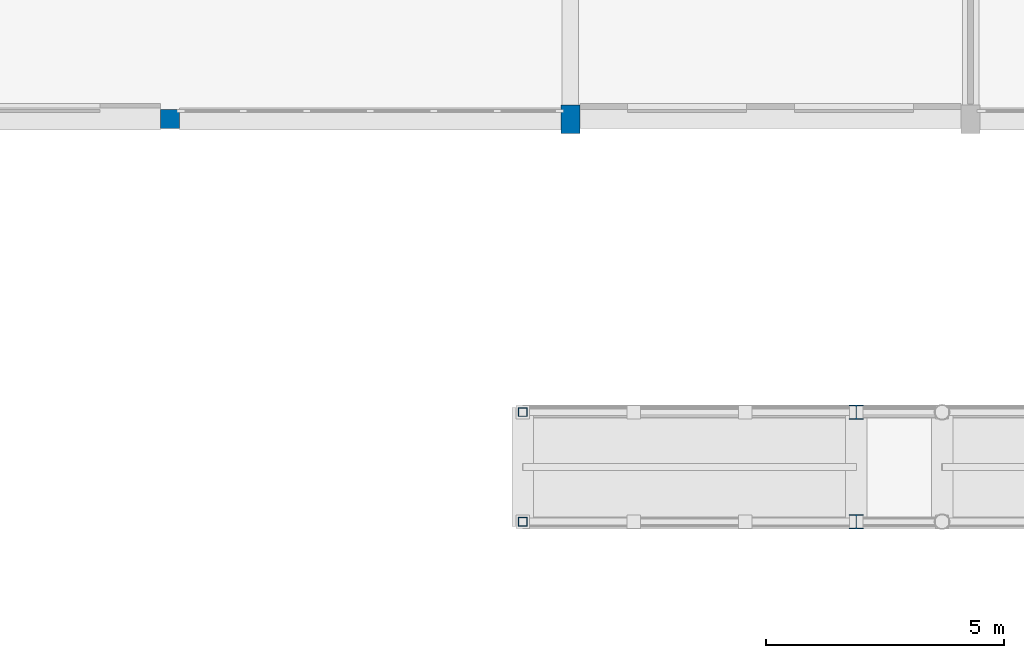
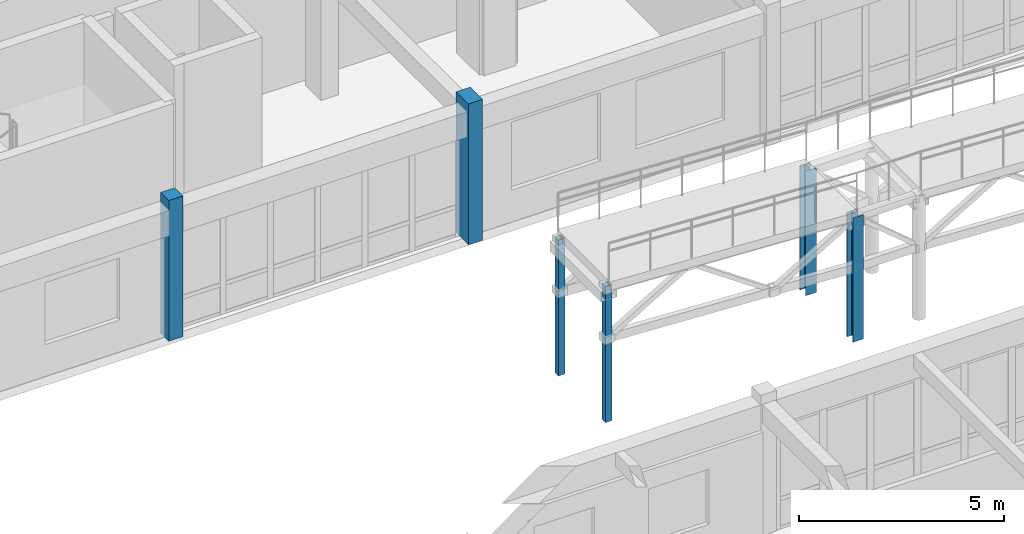
# One storey, part 2 of 89: 6 columns.
"""IFC4 building model written with IfcOpenShell, lengths in metres."""

from ifc_helpers import new_model, si_unit, direction, frame, origin, origin_2d, place, context, subcontext, project, spatial, rectangle, hollow_rectangle, i_section, extrude, material, material_profile, profile_set, type_object, element, save


model = new_model("IFC4")

# Units and contexts
model_context = context("Model", 3, precision=1e-05, world=origin(), true_north=direction((0.0, 1.0)))
body_context = subcontext(model_context, "Body", "Model", "MODEL_VIEW")
ifc_project = project(units=[si_unit("LENGTHUNIT", "METRE"), si_unit("AREAUNIT", "SQUARE_METRE"), si_unit("VOLUMEUNIT", "CUBIC_METRE"), si_unit("PLANEANGLEUNIT", "RADIAN"), si_unit("MASSUNIT", "GRAM", prefix="KILO")], contexts=[model_context])

# Site, building, storey
site_placement = place(None, origin())
site = spatial("IfcSite", under=ifc_project, at=site_placement, CompositionType="ELEMENT")
building_placement = place(site_placement, origin())
building = spatial("IfcBuilding", under=site, at=building_placement, Name="Malvenik Polytechnic", CompositionType="ELEMENT")
storey_placement = place(building_placement, frame((0.0, 0.0, 13.5)))
storey = spatial("IfcBuildingStorey", under=building, at=storey_placement, Name="L03", CompositionType="ELEMENT", Elevation=13.5)

# Columns
ifc_material_1 = material(Name="Concrete C30/37", Category="concrete")
ifc_material_profile_1 = material_profile(ifc_material_1, rectangle(XDim=0.39990234375, YDim=0.39990234375, at=origin_2d()), Name="RC COL 400x400")
ifc_profile_set_1 = profile_set([ifc_material_profile_1], Name="Concrete C30/37")
column_type_1 = type_object("IfcColumnType", Name="STR-COL-C-10", PredefinedType="COLUMN", material=ifc_profile_set_1)
column_1_placement = place(storey_placement, frame((16.800048828125, 79.199951171875, 0.0), z_axis=(0.0, 0.0, 1.0), x_axis=(1.0, 0.0, 0.0)))
element("IfcColumn", 1, at=column_1_placement, inside=storey, type_object=column_type_1, Name="Column C-10 L03 (16.8,79.2)", PredefinedType="COLUMN", context=body_context, shape_type="SweptSolid", body=[
    extrude(rectangle(XDim=0.39990234375, YDim=0.39990234375, at=origin_2d()), origin(), (0.0, 0.0, 1.0), 4.199951171875),
])
ifc_material_2 = material(Name="Concrete C35/45", Category="concrete")
ifc_material_profile_2 = material_profile(ifc_material_2, rectangle(XDim=0.39990234375, YDim=0.60009765625, at=origin_2d()), Name="RC COL 600x400")
ifc_profile_set_2 = profile_set([ifc_material_profile_2], Name="Concrete C35/45")
column_type_2 = type_object("IfcColumnType", Name="STR-COL-C-15", PredefinedType="COLUMN", material=ifc_profile_set_2)
column_2_placement = place(storey_placement, frame((25.199951171875, 79.199951171875, 0.0), z_axis=(0.0, 0.0, 1.0), x_axis=(1.0, 0.0, 0.0)))
element("IfcColumn", 2, at=column_2_placement, inside=storey, type_object=column_type_2, Name="Column C-15 L03 (25.2,79.2)", PredefinedType="COLUMN", context=body_context, shape_type="SweptSolid", body=[
    extrude(rectangle(XDim=0.39990234375, YDim=0.60009765625, at=origin_2d()), origin(), (0.0, 0.0, 1.0), 4.199951171875),
])
ifc_material_3 = material(Name="Steel S355", Category="steel")
ifc_material_profile_3 = material_profile(ifc_material_3, i_section(OverallWidth=0.300048828125, OverallDepth=0.300048828125, WebThickness=0.010986328125, FlangeThickness=0.01904296875, FilletRadius=0.027099609375, at=origin_2d()), Name="HEB 300")
ifc_profile_set_3 = profile_set([ifc_material_profile_3], Name="Steel S355")
column_type_3 = type_object("IfcColumnType", Name="STR-SCOL-SC-05", PredefinedType="COLUMN", material=ifc_profile_set_3)
for number, where, z_axis, x_axis, name in (
    (3, (31.199951171875, 70.75, 0.0), (0.0, 0.0, 1.0), (1.0, 0.0, 0.0), "Bridge-Ramp Support Column SC-05 L03"),
    (4, (31.199951171875, 73.050048828125, 0.0), (0.0, 0.0, 1.0), (1.0, 0.0, 0.0), "Bridge-Ramp Support Column SC-05 L03"),
):
    element("IfcColumn", number, at=place(storey_placement, frame(where, z_axis=z_axis, x_axis=x_axis)), inside=storey, type_object=column_type_3, Name=name, PredefinedType="COLUMN", context=body_context, shape_type="SweptSolid", body=[
        extrude(i_section(OverallWidth=0.300048828125, OverallDepth=0.300048828125, WebThickness=0.010986328125, FlangeThickness=0.01904296875, FilletRadius=0.027099609375, at=origin_2d()), origin(), (0.0, 0.0, 1.0), 3.7099609375),
    ])
ifc_material_4 = material(Name="Steel S355J2H", Category="steel")
ifc_material_profile_4 = material_profile(ifc_material_4, hollow_rectangle(XDim=0.179931640625, YDim=0.179931640625, WallThickness=0.008056640625, at=origin_2d()), Name="SHS 180x180x8.0")
ifc_profile_set_4 = profile_set([ifc_material_profile_4], Name="Steel S355J2H")
column_type_4 = type_object("IfcColumnType", Name="STR-SCOL-SC-06", PredefinedType="COLUMN", material=ifc_profile_set_4)
for number, where, z_axis, x_axis, name in (
    (5, (24.199951171875, 70.75, 0.0), (0.0, 0.0, 1.0), (1.0, 0.0, 0.0), "Bridge-Ramp Support Column SC-06 L03"),
    (6, (24.199951171875, 73.050048828125, 0.0), (0.0, 0.0, 1.0), (1.0, 0.0, 0.0), "Bridge-Ramp Support Column SC-06 L03"),
):
    element("IfcColumn", number, at=place(storey_placement, frame(where, z_axis=z_axis, x_axis=x_axis)), inside=storey, type_object=column_type_4, Name=name, PredefinedType="COLUMN", context=body_context, shape_type="SweptSolid", body=[
        extrude(hollow_rectangle(XDim=0.179931640625, YDim=0.179931640625, WallThickness=0.008056640625, at=origin_2d()), origin(), (0.0, 0.0, 1.0), 4.06005859375),
    ])

save(model, "model.ifc")
